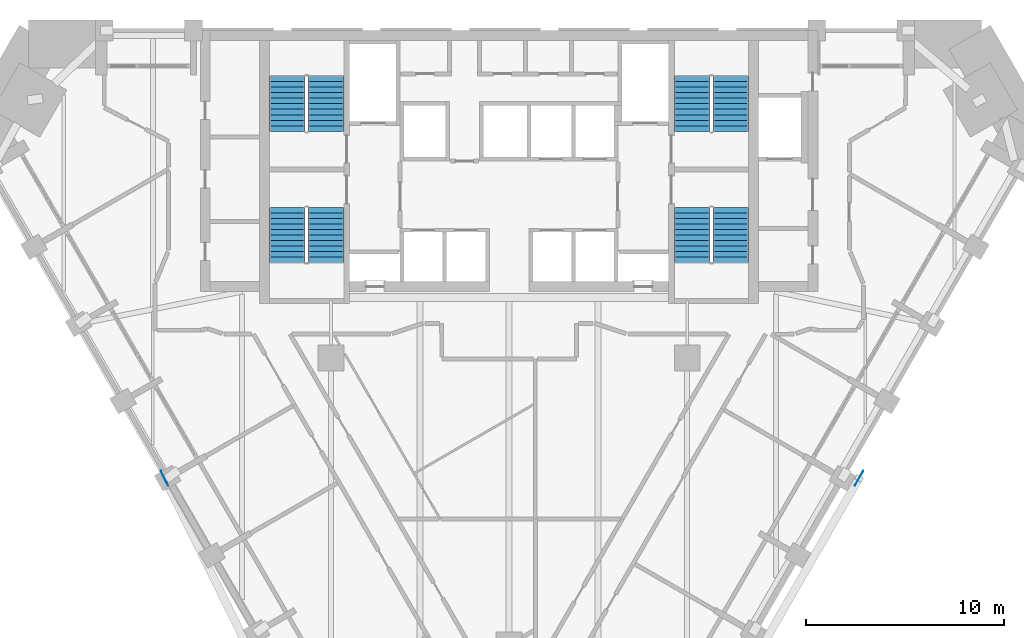
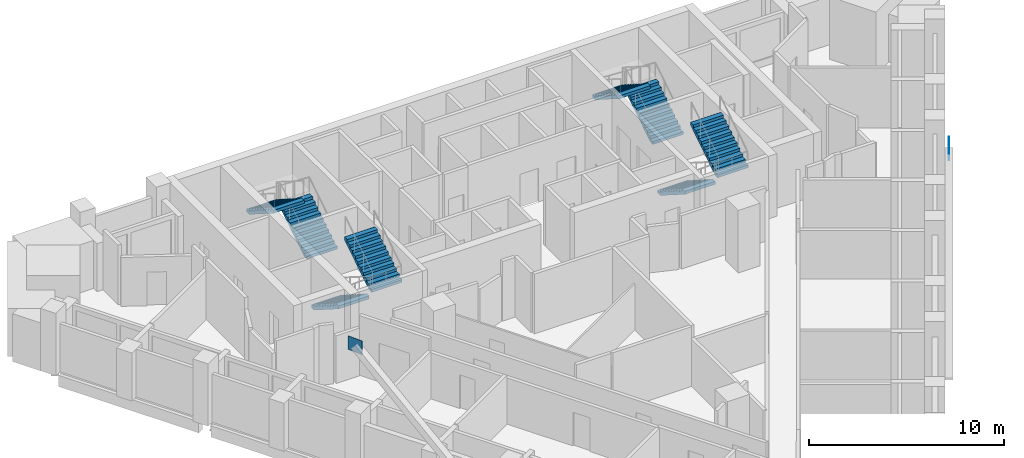
# One storey, part 9 of 10: 8 stair flights, 2 discrete accessories, 4 elements without a shape of their own.
"""IFC4 building model written with IfcOpenShell, lengths in metres."""

from ifc_helpers import new_model, si_unit, direction, frame, origin, origin_2d, place, context, subcontext, project, spatial, rectangle, extrude, faceted_brep, source, transform, mapped, material, type_object, element, aggregate, save


model = new_model("IFC4")

# Units and contexts
model_context = context("Model", 3, precision=1e-05, world=origin(), true_north=direction((0.0, 1.0)))
body_context = subcontext(model_context, "Body", "Model", "MODEL_VIEW")
ifc_project = project(units=[si_unit("LENGTHUNIT", "METRE"), si_unit("AREAUNIT", "SQUARE_METRE"), si_unit("VOLUMEUNIT", "CUBIC_METRE"), si_unit("PLANEANGLEUNIT", "RADIAN"), si_unit("MASSUNIT", "GRAM", prefix="KILO")], contexts=[model_context])

# Site, building, storey
site_placement = place(None, origin())
site = spatial("IfcSite", under=ifc_project, at=site_placement, CompositionType="ELEMENT")
building_placement = place(site_placement, origin())
building = spatial("IfcBuilding", under=site, at=building_placement, Name="Calabash Gate Tower", CompositionType="ELEMENT")
storey_placement = place(building_placement, frame((0.0, 0.0, 152.39990234375)))
storey = spatial("IfcBuildingStorey", under=building, at=storey_placement, Name="L35", CompositionType="ELEMENT", Elevation=152.39990234375)

# Stair, stair flights
ifc_material_1 = material(Name="Concrete C40/50", Category="concrete")
stair_type = type_object("IfcStairType", Name="Exit stair 22 risers of 177.3 mm", PredefinedType="HALF_TURN_STAIR", material=ifc_material_1)
stair_1_placement = place(storey_placement, origin())
stair_1 = element("IfcStair", 1, at=stair_1_placement, inside=storey, type_object=stair_type, Name="L35 Exit stair ST1", PredefinedType="HALF_TURN_STAIR")
ifc_material_2 = material(Name="Concrete C40/50", Category="concrete")
stair_flight_type = type_object("IfcStairFlightType", Name="Exit stair flight SFL", PredefinedType="STRAIGHT", material=ifc_material_2)
shared_shape = source(origin(), body_context, "Body", "Brep", [
    faceted_brep([(-0.0009765625, -0.89990234375, 0.0), (0.279541015625, -0.89990234375, 0.0), (2.791015625, -0.89990234375, 1.59521484375), (-0.0009765625, 0.89990234375, 0.0), (2.791015625, 0.89990234375, 1.59521484375), (0.279541015625, 0.89990234375, 0.0), (2.791015625, -0.89990234375, 1.78466796875), (2.7900390625, -0.89990234375, 1.78466796875), (2.7900390625, 0.89990234375, 1.78466796875), (2.791015625, 0.89990234375, 1.78466796875), (2.7900390625, -0.89990234375, 1.772705078125), (2.7900390625, 0.89990234375, 1.772705078125), (2.510986328125, -0.89990234375, 1.772705078125), (2.510986328125, 0.89990234375, 1.772705078125), (2.510986328125, -0.89990234375, 1.595458984375), (2.510986328125, 0.89990234375, 1.595458984375), (2.23193359375, -0.89990234375, 1.595458984375), (2.23193359375, 0.89990234375, 1.595458984375), (2.23193359375, -0.89990234375, 1.418212890625), (2.23193359375, 0.89990234375, 1.418212890625), (1.952880859375, -0.89990234375, 1.418212890625), (1.952880859375, -0.89990234375, 1.240966796875), (1.952880859375, 0.89990234375, 1.240966796875), (1.952880859375, 0.89990234375, 1.418212890625), (1.674072265625, -0.89990234375, 1.240966796875), (1.674072265625, -0.89990234375, 1.063720703125), (1.674072265625, 0.89990234375, 1.063720703125), (1.674072265625, 0.89990234375, 1.240966796875), (1.39501953125, -0.89990234375, 1.063720703125), (1.39501953125, -0.89990234375, 0.886474609375), (1.39501953125, 0.89990234375, 0.886474609375), (1.39501953125, 0.89990234375, 1.063720703125), (1.115966796875, -0.89990234375, 0.886474609375), (1.115966796875, -0.89990234375, 0.708984375), (1.115966796875, 0.89990234375, 0.708984375), (1.115966796875, 0.89990234375, 0.886474609375), (0.8369140625, -0.89990234375, 0.708984375), (0.8369140625, -0.89990234375, 0.53173828125), (0.8369140625, 0.89990234375, 0.53173828125), (0.8369140625, 0.89990234375, 0.708984375), (0.55810546875, -0.89990234375, 0.53173828125), (0.55810546875, -0.89990234375, 0.3544921875), (0.55810546875, 0.89990234375, 0.3544921875), (0.55810546875, 0.89990234375, 0.53173828125), (0.279052734375, -0.89990234375, 0.3544921875), (0.279052734375, -0.89990234375, 0.17724609375), (0.279052734375, 0.89990234375, 0.17724609375), (0.279052734375, 0.89990234375, 0.3544921875), (-0.0009765625, -0.89990234375, 0.17724609375), (-0.0009765625, 0.89990234375, 0.17724609375), (0.279541015625, -0.360107421875, 0.0), (2.791015625, -0.360107421875, 1.59521484375), (0.279541015625, 0.0, 0.0), (2.791015625, 0.0, 1.59521484375), (0.279541015625, 0.360107421875, 0.0), (2.791015625, 0.360107421875, 1.59521484375), (2.791015625, -0.360107421875, 1.78466796875), (2.791015625, 0.0, 1.78466796875), (2.791015625, 0.360107421875, 1.78466796875), (2.7900390625, -0.360107421875, 1.78466796875), (2.7900390625, 0.0, 1.78466796875), (2.7900390625, 0.360107421875, 1.78466796875), (2.7900390625, -0.360107421875, 1.772705078125), (2.7900390625, 0.0, 1.772705078125), (2.7900390625, 0.360107421875, 1.772705078125), (2.510986328125, -0.360107421875, 1.772705078125), (2.510986328125, 0.0, 1.772705078125), (2.510986328125, 0.360107421875, 1.772705078125), (2.510986328125, -0.360107421875, 1.595458984375), (2.510986328125, 0.0, 1.595458984375), (2.510986328125, 0.360107421875, 1.595458984375), (2.23193359375, -0.360107421875, 1.595458984375), (2.23193359375, 0.0, 1.595458984375), (2.23193359375, 0.360107421875, 1.595458984375), (2.23193359375, -0.360107421875, 1.418212890625), (2.23193359375, 0.0, 1.418212890625), (2.23193359375, 0.360107421875, 1.418212890625), (1.952880859375, -0.360107421875, 1.418212890625), (1.952880859375, 0.0, 1.418212890625), (1.952880859375, 0.360107421875, 1.418212890625), (1.952880859375, -0.360107421875, 1.240966796875), (1.952880859375, 0.0, 1.240966796875), (1.952880859375, 0.360107421875, 1.240966796875), (1.674072265625, -0.360107421875, 1.240966796875), (1.674072265625, 0.0, 1.240966796875), (1.674072265625, 0.360107421875, 1.240966796875), (1.674072265625, -0.360107421875, 1.063720703125), (1.674072265625, 0.0, 1.063720703125), (1.674072265625, 0.360107421875, 1.063720703125), (1.39501953125, -0.360107421875, 1.063720703125), (1.39501953125, 0.0, 1.063720703125), (1.39501953125, 0.360107421875, 1.063720703125), (1.39501953125, -0.360107421875, 0.886474609375), (1.39501953125, 0.0, 0.886474609375), (1.39501953125, 0.360107421875, 0.886474609375), (1.115966796875, -0.360107421875, 0.886474609375), (1.115966796875, 0.0, 0.886474609375), (1.115966796875, 0.360107421875, 0.886474609375), (1.115966796875, -0.360107421875, 0.708984375), (1.115966796875, 0.0, 0.708984375), (1.115966796875, 0.360107421875, 0.708984375), (0.8369140625, -0.360107421875, 0.708984375), (0.8369140625, 0.0, 0.708984375), (0.8369140625, 0.360107421875, 0.708984375), (0.8369140625, -0.360107421875, 0.53173828125), (0.8369140625, 0.0, 0.53173828125), (0.8369140625, 0.360107421875, 0.53173828125), (0.55810546875, -0.360107421875, 0.53173828125), (0.55810546875, 0.0, 0.53173828125), (0.55810546875, 0.360107421875, 0.53173828125), (0.55810546875, -0.360107421875, 0.3544921875), (0.55810546875, 0.0, 0.3544921875), (0.55810546875, 0.360107421875, 0.3544921875), (0.279052734375, -0.360107421875, 0.3544921875), (0.279052734375, 0.0, 0.3544921875), (0.279052734375, 0.360107421875, 0.3544921875), (0.279052734375, -0.360107421875, 0.17724609375), (0.279052734375, 0.0, 0.17724609375), (0.279052734375, 0.360107421875, 0.17724609375), (-0.0009765625, -0.360107421875, 0.17724609375), (-0.0009765625, 0.0, 0.17724609375), (-0.0009765625, 0.360107421875, 0.17724609375), (-0.0009765625, -0.360107421875, 0.0), (-0.0009765625, 0.0, 0.0), (-0.0009765625, 0.360107421875, 0.0)], [[[0, 1, 2]], [[3, 4, 5]], [[2, 6, 7]], [[4, 8, 9]], [[2, 7, 10]], [[4, 11, 8]], [[2, 10, 12]], [[4, 13, 11]], [[2, 12, 14]], [[4, 15, 13]], [[2, 14, 16]], [[4, 17, 15]], [[2, 16, 18]], [[4, 19, 17]], [[18, 20, 21]], [[19, 22, 23]], [[2, 18, 21]], [[4, 22, 19]], [[21, 24, 25]], [[22, 26, 27]], [[2, 21, 25]], [[4, 26, 22]], [[25, 28, 29]], [[26, 30, 31]], [[2, 25, 29]], [[4, 30, 26]], [[29, 32, 33]], [[30, 34, 35]], [[2, 29, 33]], [[4, 34, 30]], [[33, 36, 37]], [[34, 38, 39]], [[2, 33, 37]], [[4, 38, 34]], [[37, 40, 41]], [[38, 42, 43]], [[2, 37, 41]], [[4, 42, 38]], [[41, 44, 45]], [[42, 46, 47]], [[2, 41, 45]], [[4, 46, 42]], [[0, 2, 45]], [[3, 46, 4]], [[45, 48, 0]], [[46, 3, 49]], [[1, 50, 2]], [[50, 51, 2]], [[50, 52, 51]], [[52, 53, 51]], [[52, 54, 55]], [[52, 55, 53]], [[54, 5, 4]], [[54, 4, 55]], [[2, 51, 6]], [[51, 56, 6]], [[51, 53, 56]], [[53, 57, 56]], [[53, 55, 58]], [[53, 58, 57]], [[55, 4, 9]], [[55, 9, 58]], [[6, 56, 7]], [[56, 59, 7]], [[56, 57, 59]], [[57, 60, 59]], [[57, 58, 61]], [[57, 61, 60]], [[58, 9, 8]], [[58, 8, 61]], [[7, 59, 10]], [[59, 62, 10]], [[59, 60, 62]], [[60, 63, 62]], [[60, 61, 64]], [[60, 64, 63]], [[61, 8, 11]], [[61, 11, 64]], [[10, 62, 12]], [[62, 65, 12]], [[62, 63, 65]], [[63, 66, 65]], [[63, 64, 67]], [[63, 67, 66]], [[64, 11, 13]], [[64, 13, 67]], [[12, 65, 14]], [[65, 68, 14]], [[65, 66, 68]], [[66, 69, 68]], [[66, 67, 70]], [[66, 70, 69]], [[67, 13, 15]], [[67, 15, 70]], [[14, 68, 16]], [[68, 71, 16]], [[68, 69, 71]], [[69, 72, 71]], [[69, 70, 73]], [[69, 73, 72]], [[70, 15, 17]], [[70, 17, 73]], [[16, 71, 18]], [[71, 74, 18]], [[71, 72, 74]], [[72, 75, 74]], [[72, 73, 76]], [[72, 76, 75]], [[73, 17, 19]], [[73, 19, 76]], [[18, 74, 20]], [[74, 77, 20]], [[74, 75, 77]], [[75, 78, 77]], [[75, 76, 79]], [[75, 79, 78]], [[76, 19, 23]], [[76, 23, 79]], [[20, 77, 21]], [[77, 80, 21]], [[77, 78, 80]], [[78, 81, 80]], [[78, 79, 82]], [[78, 82, 81]], [[79, 23, 22]], [[79, 22, 82]], [[21, 80, 24]], [[80, 83, 24]], [[80, 81, 83]], [[81, 84, 83]], [[81, 82, 85]], [[81, 85, 84]], [[82, 22, 27]], [[82, 27, 85]], [[24, 83, 25]], [[83, 86, 25]], [[83, 84, 86]], [[84, 87, 86]], [[84, 85, 88]], [[84, 88, 87]], [[85, 27, 26]], [[85, 26, 88]], [[25, 86, 28]], [[86, 89, 28]], [[86, 87, 89]], [[87, 90, 89]], [[87, 88, 91]], [[87, 91, 90]], [[88, 26, 31]], [[88, 31, 91]], [[28, 89, 29]], [[89, 92, 29]], [[89, 90, 92]], [[90, 93, 92]], [[90, 91, 94]], [[90, 94, 93]], [[91, 31, 30]], [[91, 30, 94]], [[29, 92, 32]], [[92, 95, 32]], [[92, 93, 95]], [[93, 96, 95]], [[93, 94, 97]], [[93, 97, 96]], [[94, 30, 35]], [[94, 35, 97]], [[32, 95, 33]], [[95, 98, 33]], [[95, 96, 98]], [[96, 99, 98]], [[96, 97, 100]], [[96, 100, 99]], [[97, 35, 34]], [[97, 34, 100]], [[33, 98, 36]], [[98, 101, 36]], [[98, 99, 101]], [[99, 102, 101]], [[99, 100, 103]], [[99, 103, 102]], [[100, 34, 39]], [[100, 39, 103]], [[36, 101, 37]], [[101, 104, 37]], [[101, 102, 104]], [[102, 105, 104]], [[102, 103, 106]], [[102, 106, 105]], [[103, 39, 38]], [[103, 38, 106]], [[37, 104, 40]], [[104, 107, 40]], [[104, 105, 107]], [[105, 108, 107]], [[105, 106, 109]], [[105, 109, 108]], [[106, 38, 43]], [[106, 43, 109]], [[40, 107, 41]], [[107, 110, 41]], [[107, 108, 110]], [[108, 111, 110]], [[108, 109, 112]], [[108, 112, 111]], [[109, 43, 42]], [[109, 42, 112]], [[41, 110, 44]], [[110, 113, 44]], [[110, 111, 113]], [[111, 114, 113]], [[111, 112, 115]], [[111, 115, 114]], [[112, 42, 47]], [[112, 47, 115]], [[44, 113, 45]], [[113, 116, 45]], [[113, 114, 116]], [[114, 117, 116]], [[114, 115, 118]], [[114, 118, 117]], [[115, 47, 46]], [[115, 46, 118]], [[45, 116, 48]], [[116, 119, 48]], [[116, 117, 119]], [[117, 120, 119]], [[117, 118, 121]], [[117, 121, 120]], [[118, 46, 49]], [[118, 49, 121]], [[48, 119, 0]], [[119, 122, 0]], [[119, 120, 122]], [[120, 123, 122]], [[120, 121, 124]], [[120, 124, 123]], [[121, 49, 3]], [[121, 3, 124]], [[0, 122, 1]], [[122, 50, 1]], [[122, 123, 50]], [[123, 52, 50]], [[123, 124, 54]], [[123, 54, 52]], [[124, 3, 5]], [[124, 5, 54]]]),
])
stair_flight_1_placement = place(storey_placement, frame((-9.25, 13.95263671875, 0.0), z_axis=(0.0, 0.0, 1.0), x_axis=(0.0, 1.0, 0.0)))
stair_flight_1 = element("IfcStairFlight", 2, at=stair_flight_1_placement, type_object=stair_flight_type, Name="ST1 flight 1", NumberOfRisers=11, NumberOfTreads=10, PredefinedType="STRAIGHT", RiserHeight=0.177272727, TreadLength=0.279, context=body_context, shape_type="MappedRepresentation", body=[
    mapped(shared_shape, transform((0.0, 0.0, 0.0), scale=1.0)),
])
stair_flight_2_placement = place(storey_placement, frame((-11.199951171875, 16.74267578125, 1.9501953125), z_axis=(0.0, 0.0, 1.0), x_axis=(0.0, -1.0, 0.0)))
stair_flight_2 = element("IfcStairFlight", 3, at=stair_flight_2_placement, type_object=stair_flight_type, Name="ST1 flight 2", NumberOfRisers=11, NumberOfTreads=10, PredefinedType="STRAIGHT", RiserHeight=0.177272727, TreadLength=0.279, context=body_context, shape_type="MappedRepresentation", body=[
    mapped(shared_shape, transform((0.0, 0.0, 0.0), scale=1.0)),
])
aggregate(stair_1, [stair_flight_1, stair_flight_2])

stair_2_placement = place(storey_placement, origin())
stair_2 = element("IfcStair", 4, at=stair_2_placement, inside=storey, type_object=stair_type, Name="L35 Exit stair ST2", PredefinedType="HALF_TURN_STAIR")
stair_flight_3_placement = place(storey_placement, frame((-11.199951171875, 10.1025390625, 0.0), z_axis=(0.0, 0.0, 1.0), x_axis=(0.0, -1.0, 0.0)))
stair_flight_3 = element("IfcStairFlight", 5, at=stair_flight_3_placement, type_object=stair_flight_type, Name="ST2 flight 1", NumberOfRisers=11, NumberOfTreads=10, PredefinedType="STRAIGHT", RiserHeight=0.177272727, TreadLength=0.279, context=body_context, shape_type="MappedRepresentation", body=[
    mapped(shared_shape, transform((0.0, 0.0, 0.0), scale=1.0)),
])
stair_flight_4_placement = place(storey_placement, frame((-9.25, 7.3125, 1.9501953125), z_axis=(0.0, 0.0, 1.0), x_axis=(0.0, 1.0, 0.0)))
stair_flight_4 = element("IfcStairFlight", 6, at=stair_flight_4_placement, type_object=stair_flight_type, Name="ST2 flight 2", NumberOfRisers=11, NumberOfTreads=10, PredefinedType="STRAIGHT", RiserHeight=0.177272727, TreadLength=0.279, context=body_context, shape_type="MappedRepresentation", body=[
    mapped(shared_shape, transform((0.0, 0.0, 0.0), scale=1.0)),
])
aggregate(stair_2, [stair_flight_3, stair_flight_4])

stair_3_placement = place(storey_placement, origin())
stair_3 = element("IfcStair", 7, at=stair_3_placement, inside=storey, type_object=stair_type, Name="L35 Exit stair ST3", PredefinedType="HALF_TURN_STAIR")
stair_flight_5_placement = place(storey_placement, frame((11.199951171875, 13.95263671875, 0.0), z_axis=(0.0, 0.0, 1.0), x_axis=(0.0, 1.0, 0.0)))
stair_flight_5 = element("IfcStairFlight", 8, at=stair_flight_5_placement, type_object=stair_flight_type, Name="ST3 flight 1", NumberOfRisers=11, NumberOfTreads=10, PredefinedType="STRAIGHT", RiserHeight=0.177272727, TreadLength=0.279, context=body_context, shape_type="MappedRepresentation", body=[
    mapped(shared_shape, transform((0.0, 0.0, 0.0), scale=1.0)),
])
stair_flight_6_placement = place(storey_placement, frame((9.25, 16.74267578125, 1.9501953125), z_axis=(0.0, 0.0, 1.0), x_axis=(0.0, -1.0, 0.0)))
stair_flight_6 = element("IfcStairFlight", 9, at=stair_flight_6_placement, type_object=stair_flight_type, Name="ST3 flight 2", NumberOfRisers=11, NumberOfTreads=10, PredefinedType="STRAIGHT", RiserHeight=0.177272727, TreadLength=0.279, context=body_context, shape_type="MappedRepresentation", body=[
    mapped(shared_shape, transform((0.0, 0.0, 0.0), scale=1.0)),
])
aggregate(stair_3, [stair_flight_5, stair_flight_6])

stair_4_placement = place(storey_placement, origin())
stair_4 = element("IfcStair", 10, at=stair_4_placement, inside=storey, type_object=stair_type, Name="L35 Exit stair ST4", PredefinedType="HALF_TURN_STAIR")
stair_flight_7_placement = place(storey_placement, frame((9.25, 10.1025390625, 0.0), z_axis=(0.0, 0.0, 1.0), x_axis=(0.0, -1.0, 0.0)))
stair_flight_7 = element("IfcStairFlight", 11, at=stair_flight_7_placement, type_object=stair_flight_type, Name="ST4 flight 1", NumberOfRisers=11, NumberOfTreads=10, PredefinedType="STRAIGHT", RiserHeight=0.177272727, TreadLength=0.279, context=body_context, shape_type="MappedRepresentation", body=[
    mapped(shared_shape, transform((0.0, 0.0, 0.0), scale=1.0)),
])
stair_flight_8_placement = place(storey_placement, frame((11.199951171875, 7.3125, 1.9501953125), z_axis=(0.0, 0.0, 1.0), x_axis=(0.0, 1.0, 0.0)))
stair_flight_8 = element("IfcStairFlight", 12, at=stair_flight_8_placement, type_object=stair_flight_type, Name="ST4 flight 2", NumberOfRisers=11, NumberOfTreads=10, PredefinedType="STRAIGHT", RiserHeight=0.177272727, TreadLength=0.279, context=body_context, shape_type="MappedRepresentation", body=[
    mapped(shared_shape, transform((0.0, 0.0, 0.0), scale=1.0)),
])
aggregate(stair_4, [stair_flight_7, stair_flight_8])

# Discrete accessories
ifc_material_3 = material(Name="Steel ASTM A572 Gr50", Category="steel")
discrete_accessory_type = type_object("IfcDiscreteAccessoryType", Name="Connection plate 25", PredefinedType="BRACKET", material=ifc_material_3)
for number, where, z_axis, x_axis, name in (
    (13, (-17.409912109375, -3.5810546875, 7.375), (0.0, 0.0, 1.0), (-0.442498057806, 0.896769462481, 0.0), "Connection plate Mega-brace SW Z3 21 end"),
    (14, (17.684814453125, -3.5810546875, 7.375), (0.0, 0.0, 1.0), (0.500000045345, 0.866025377604, 0.0), "Connection plate Mega-brace SE Z3 25 end"),
):
    element("IfcDiscreteAccessory", number, at=place(storey_placement, frame(where, z_axis=z_axis, x_axis=x_axis)), inside=storey, type_object=discrete_accessory_type, Name=name, PredefinedType="BRACKET", context=body_context, shape_type="SweptSolid", body=[
        extrude(rectangle(XDim=0.850341796875, YDim=0.02490234375, at=origin_2d()), origin(), (0.0, 0.0, 1.0), 0.850341796875),
    ])

save(model, "model.ifc")
